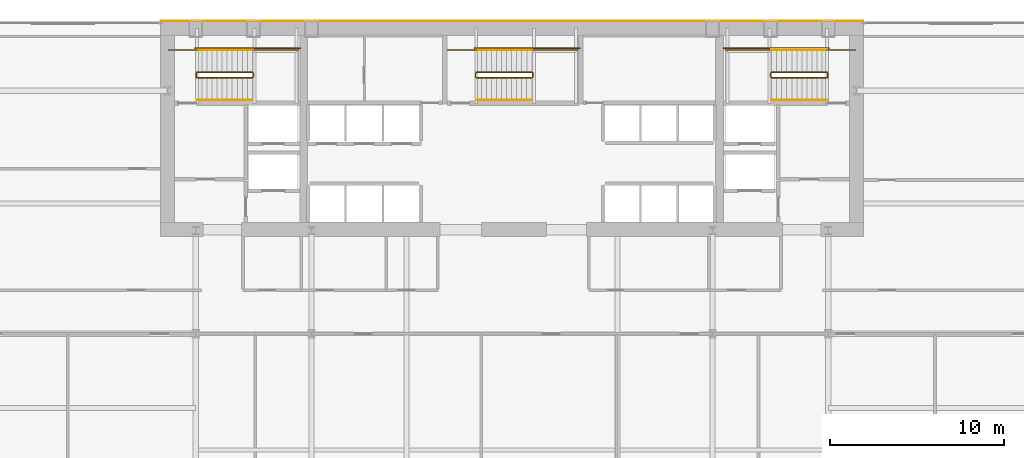
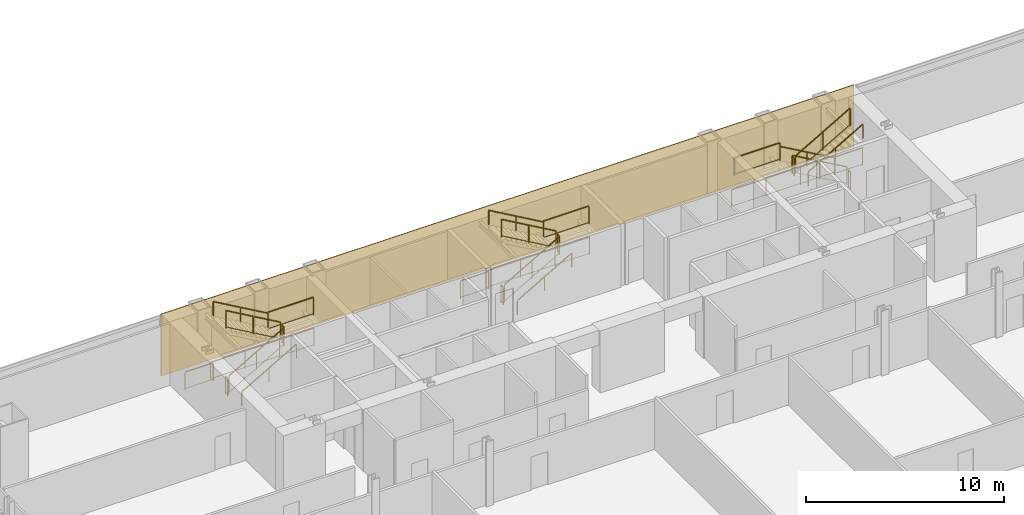
# One storey, part 32 of 32: 27 railings, 1 covering.
"""IFC4 building model written with IfcOpenShell, lengths in metres."""

import ifcopenshell
import ifcopenshell.guid

model = None  # the IFC model being written
_history = None  # IfcOwnerHistory: only IFC2X3 demands one
_inside = {}  # id of a spatial element -> (the spatial element, [elements in it])
_under = {}  # id of a project, library or spatial element -> (it, [spatial elements below it])
_declared = {}  # id of a project -> (the project, [libraries it declares])
_typed = {}  # id of a type object -> (the type object, [elements of that type])
_made_of = {}  # id of a material, layer set ... -> (it, [elements and type objects made of it])


def new_model(schema):
    """Start an empty IFC model of exactly this schema.

    Asked for "IFC4X3", IfcOpenShell would pick the latest addendum, in which some entities
    have other attributes; the version numbers below select the first issue.
    IFC2X3 requires an IfcOwnerHistory on every rooted entity: one is made here for all.
    """
    global model, _history
    if schema == "IFC4X3":
        model = ifcopenshell.file(schema_version=(4, 3, 0, 0))
    else:
        model = ifcopenshell.file(schema=schema)
    _inside.clear()
    _under.clear()
    _declared.clear()
    _typed.clear()
    _made_of.clear()
    _history = None
    if model.schema == "IFC2X3":
        org = make("IfcOrganization", Name="unknown")
        user = make(
            "IfcPersonAndOrganization",
            ThePerson=make("IfcPerson", FamilyName="unknown"),
            TheOrganization=org,
        )
        app = make(
            "IfcApplication",
            ApplicationDeveloper=org,
            Version="unknown",
            ApplicationFullName="unknown",
            ApplicationIdentifier="unknown",
        )
        _history = make(
            "IfcOwnerHistory",
            OwningUser=user,
            OwningApplication=app,
            ChangeAction="ADDED",
            CreationDate=0,
        )
    return model


def make(cls, **values):
    """One entity of the class cls with the attributes given. An attribute that is None is left unset."""
    return model.create_entity(
        cls, **{name: value for name, value in values.items() if value is not None}
    )


def rooted(cls, **values):
    """An entity with a GlobalId (a new one), such as an element, a storey or a relation."""
    return make(cls, GlobalId=ifcopenshell.guid.new(), OwnerHistory=_history, **values)


def si_unit(unit_type, name, prefix=None):
    """IfcSIUnit, for example si_unit("LENGTHUNIT", "METRE", prefix="MILLI")."""
    return make("IfcSIUnit", UnitType=unit_type, Prefix=prefix, Name=name)


def assignment(units):
    """IfcUnitAssignment: the units of a project."""
    return None if units is None else make("IfcUnitAssignment", Units=units)


def point(xyz):
    """IfcCartesianPoint."""
    return None if xyz is None else make("IfcCartesianPoint", Coordinates=xyz)


def direction(xyz):
    """IfcDirection."""
    return None if xyz is None else make("IfcDirection", DirectionRatios=xyz)


def frame(location, z_axis=None, x_axis=None):
    """IfcAxis2Placement3D, a coordinate frame: its origin and axes. An axis left out is left unset."""
    return make(
        "IfcAxis2Placement3D",
        Location=point(location),
        Axis=direction(z_axis),
        RefDirection=direction(x_axis),
    )


def frame_2d(location, x_axis=None):
    """IfcAxis2Placement2D, a coordinate frame in the plane: its origin and x axis."""
    return make(
        "IfcAxis2Placement2D", Location=point(location), RefDirection=direction(x_axis)
    )


def origin():
    """The frame at (0, 0, 0) with its axes left unset."""
    return frame((0.0, 0.0, 0.0))


def origin_2d():
    """The frame at (0, 0) in the plane with its x axis left unset."""
    return frame_2d((0.0, 0.0))


def place(relative_to, where):
    """IfcLocalPlacement: puts the frame where relative to a parent placement (None: the world)."""
    return make(
        "IfcLocalPlacement", PlacementRelTo=relative_to, RelativePlacement=where
    )


def context(
    kind, dimensions, precision=None, world=None, true_north=None, identifier=None
):
    """IfcGeometricRepresentationContext, for example the 3D "Model" context."""
    return make(
        "IfcGeometricRepresentationContext",
        ContextIdentifier=identifier,
        ContextType=kind,
        CoordinateSpaceDimension=dimensions,
        Precision=precision,
        WorldCoordinateSystem=world,
        TrueNorth=true_north,
    )


def subcontext(parent, identifier, kind, view, scale=None):
    """IfcGeometricRepresentationSubContext, for example "Body" below "Model"."""
    return make(
        "IfcGeometricRepresentationSubContext",
        ContextIdentifier=identifier,
        ContextType=kind,
        ParentContext=parent,
        TargetScale=scale,
        TargetView=view,
    )


def project(units=None, contexts=None):
    """IfcProject with its units and contexts."""
    return rooted(
        "IfcProject",
        Name="project",
        RepresentationContexts=contexts,
        UnitsInContext=assignment(units),
    )


def spatial(cls, under=None, at=None, **own):
    """A site, building, storey or space (cls), placed at a placement, below another one or the project."""
    s = rooted(cls, ObjectPlacement=at, **own)
    if under is not None:
        _under.setdefault(under.id(), (under, []))[1].append(s)
    return s


def polyline(points):
    """IfcPolyline through the points."""
    return make("IfcPolyline", Points=[point(p) for p in points])


def profile(cls, at=None, kind="AREA", **sizes):
    """A parametric profile (cls). Its sizes go by their IFC names, for example OverallWidth=200.0."""
    return make(cls, ProfileType=kind, Position=at, **sizes)


def rectangle(**sizes):
    """IfcRectangleProfileDef."""
    return profile("IfcRectangleProfileDef", **sizes)


def outline(outer, holes=None, kind="AREA"):
    """IfcArbitraryClosedProfileDef: a profile drawn as a closed curve; with holes, ...WithVoids."""
    if holes is None:
        return make("IfcArbitraryClosedProfileDef", ProfileType=kind, OuterCurve=outer)
    return make(
        "IfcArbitraryProfileDefWithVoids",
        ProfileType=kind,
        OuterCurve=outer,
        InnerCurves=holes,
    )


def extrude(swept, where, along, depth):
    """IfcExtrudedAreaSolid: the profile swept, set in the frame where, extruded along a direction by depth."""
    return make(
        "IfcExtrudedAreaSolid",
        SweptArea=swept,
        Position=where,
        ExtrudedDirection=direction(along),
        Depth=depth,
    )


def shape(context_of_items, identifier, shape_type, items):
    """IfcShapeRepresentation: the items that make up one representation, for example the "Body"."""
    return make(
        "IfcShapeRepresentation",
        ContextOfItems=context_of_items,
        RepresentationIdentifier=identifier,
        RepresentationType=shape_type,
        Items=items,
    )


def material(Name=None, Category=None):
    """IfcMaterial."""
    return make("IfcMaterial", Name=Name, Category=Category)


def layer(
    of_material, thickness, ventilated=None, Name=None, Category=None, Priority=None
):
    """IfcMaterialLayer: one layer of a wall or slab, of a material (None: an air gap)."""
    return make(
        "IfcMaterialLayer",
        Material=of_material,
        LayerThickness=thickness,
        IsVentilated=ventilated,
        Name=Name,
        Category=Category,
        Priority=Priority,
    )


def layer_set(layers, Name=None):
    """IfcMaterialLayerSet."""
    return make("IfcMaterialLayerSet", MaterialLayers=layers, LayerSetName=Name)


def made_of(thing, what):
    """Note that an element or type object is made of a material, layer set ...; save() writes the relation."""
    if what is not None:
        _made_of.setdefault(what.id(), (what, []))[1].append(thing)
    return thing


def type_object(cls, material=None, **own):
    """A type object (cls), such as IfcWallType, which elements share."""
    return made_of(rooted(cls, **own), material)


def element(
    cls,
    number,
    at=None,
    inside=None,
    cuts=None,
    type_object=None,
    material=None,
    context=None,
    identifier="Body",
    shape_type=None,
    held_by="IfcProductDefinitionShape",
    body=None,
    shapes=None,
    **own,
):
    """One element of the class cls, such as IfcWall. Its Tag is "e" and its number.

    at: its placement. inside: the storey or other place that contains it. cuts: it is an
    opening in that element (IfcRelVoidsElement). A single representation is given by context,
    identifier, shape_type and body (its items); several are given by shapes. held_by: the class
    of the entity that holds the representations. save() writes the other relations.
    """
    e = rooted(cls, Tag="e%d" % number, ObjectPlacement=at, **own)
    if body is not None:
        shapes = [shape(context, identifier, shape_type, body)]
    if shapes is not None:
        e.Representation = make(held_by, Representations=shapes)
    if inside is not None:
        _inside.setdefault(inside.id(), (inside, []))[1].append(e)
    if cuts is not None:
        rooted(
            "IfcRelVoidsElement", RelatingBuildingElement=cuts, RelatedOpeningElement=e
        )
    if type_object is not None:
        _typed.setdefault(type_object.id(), (type_object, []))[1].append(e)
    return made_of(e, material)


def aggregate(whole, parts):
    """IfcRelAggregates: a whole, such as a stair, and the parts it consists of."""
    return rooted("IfcRelAggregates", RelatingObject=whole, RelatedObjects=parts)


def save(model, path):
    """Write the relations noted so far, then the file.

    IfcRelAggregates (storeys below a building ...), IfcRelContainedInSpatialStructure (elements
    in a storey), IfcRelDefinesByType, IfcRelAssociatesMaterial and IfcRelDeclares: one each for
    every whole, place, type object, material and project.
    """
    for whole, parts in _under.values():
        aggregate(whole, parts)
    for where, things in _inside.values():
        rooted(
            "IfcRelContainedInSpatialStructure",
            RelatedElements=things,
            RelatingStructure=where,
        )
    for kind, things in _typed.values():
        rooted("IfcRelDefinesByType", RelatedObjects=things, RelatingType=kind)
    for what, things in _made_of.values():
        rooted("IfcRelAssociatesMaterial", RelatedObjects=things, RelatingMaterial=what)
    for by, libraries in _declared.values():
        rooted("IfcRelDeclares", RelatingContext=by, RelatedDefinitions=libraries)
    model.write(path)


model = new_model("IFC4")

# Units and contexts
model_context = context("Model", 3, precision=1e-05, world=origin(), true_north=direction((0.0, 1.0)))
body_context = subcontext(model_context, "Body", "Model", "MODEL_VIEW")
ifc_project = project(units=[si_unit("LENGTHUNIT", "METRE"), si_unit("AREAUNIT", "SQUARE_METRE"), si_unit("VOLUMEUNIT", "CUBIC_METRE"), si_unit("PLANEANGLEUNIT", "RADIAN"), si_unit("MASSUNIT", "GRAM", prefix="KILO")], contexts=[model_context])

# Site, building, storey
site_placement = place(None, origin())
site = spatial("IfcSite", under=ifc_project, at=site_placement, CompositionType="ELEMENT")
building_placement = place(site_placement, origin())
building = spatial("IfcBuilding", under=site, at=building_placement, Name="Khoronbel Lancet Exchange", CompositionType="ELEMENT")
storey_placement = place(building_placement, frame((0.0, 0.0, 65.800048828125)))
storey = spatial("IfcBuildingStorey", under=building, at=storey_placement, Name="L15", CompositionType="ELEMENT", Elevation=65.800048828125)

# Covering
ifc_material_1 = material(Name="Honed Egyptian Limestone & Bronze Rainscreen", Category="masonry")
ifc_layer = layer(ifc_material_1, 0.050048828125, Name="Honed Egyptian Limestone & Bronze Rainscreen")
ifc_layer_set = layer_set([ifc_layer], Name="Honed Egyptian Limestone & Bronze Rainscreen")
covering_type = type_object("IfcCoveringType", Name="COV-CLAD1", PredefinedType="CLADDING", material=ifc_layer_set)
covering_placement = place(storey_placement, origin())
element("IfcCovering", 1, at=covering_placement, inside=storey, type_object=covering_type, Name="Level L15 north rear-core stone and bronze rainscreen cladding", PredefinedType="CLADDING", context=body_context, shape_type="SweptSolid", body=[
    extrude(outline(polyline([(16.199951171875, 53.699951171875), (56.699951171875, 53.699951171875), (56.699951171875, 53.75), (16.199951171875, 53.75), (16.199951171875, 53.699951171875)])), origin(), (0.0, 0.0, 1.0), 3.820068359375),
])

# Railings
ifc_material_2 = material(Name="Painted Steel Balustrade", Category="steel")
railing_type_1 = type_object("IfcRailingType", Name="RL-STG110", PredefinedType="GUARDRAIL", material=ifc_material_2)
railing_1_placement = place(storey_placement, frame((18.300048828125, 50.449951171875, 0.16650390625)))
element("IfcRailing", 2, at=railing_1_placement, inside=storey, type_object=railing_type_1, Name="L15 ST1 stair guard 1", PredefinedType="GUARDRAIL", context=body_context, shape_type="SweptSolid", body=[
    extrude(rectangle(XDim=0.048095703125, YDim=0.048095703125, at=origin_2d()), frame((0.0, 0.0, 1.09619140625), z_axis=(0.86699087805, 0.0, 0.498324008431), x_axis=(0.0, 1.0, 0.0)), (0.0, 0.0, 1.0), 3.679443359375),
    extrude(rectangle(XDim=0.02392578125, YDim=0.02392578125, at=origin_2d()), frame((0.0, 0.0, 0.080078125), z_axis=(0.86699087805, 0.0, 0.498324008431), x_axis=(0.0, 1.0, 0.0)), (0.0, 0.0, 1.0), 3.679443359375),
    extrude(rectangle(XDim=0.0419921875, YDim=0.0419921875, at=origin_2d()), origin(), (0.0, 0.0, 1.0), 1.072021484375),
    extrude(rectangle(XDim=0.0419921875, YDim=0.0419921875, at=origin_2d()), frame((1.594970703125, 0.0, 0.916748046875)), (0.0, 0.0, 1.0), 1.072021484375),
    extrude(rectangle(XDim=0.0419921875, YDim=0.0419921875, at=origin_2d()), frame((3.18994140625, 0.0, 1.83349609375)), (0.0, 0.0, 1.0), 1.072021484375),
])
railing_2_placement = place(storey_placement, frame((21.5400390625, 50.5, 2.0)))
element("IfcRailing", 3, at=railing_2_placement, inside=storey, type_object=railing_type_1, Name="L15 ST1 stair guard 2", PredefinedType="GUARDRAIL", context=body_context, shape_type="SweptSolid", body=[
    extrude(rectangle(XDim=0.048095703125, YDim=0.048095703125, at=origin_2d()), frame((0.0, 0.0, 1.09619140625), z_axis=(0.0, 1.0, 0.0), x_axis=(-1.0, 0.0, 0.0)), (0.0, 0.0, 1.0), 0.219970703125),
    extrude(rectangle(XDim=0.02392578125, YDim=0.02392578125, at=origin_2d()), frame((0.0, 0.0, 0.080078125), z_axis=(0.0, 1.0, 0.0), x_axis=(-1.0, 0.0, 0.0)), (0.0, 0.0, 1.0), 0.219970703125),
    extrude(rectangle(XDim=0.0419921875, YDim=0.0419921875, at=origin_2d()), origin(), (0.0, 0.0, 1.0), 1.072021484375),
    extrude(rectangle(XDim=0.0419921875, YDim=0.0419921875, at=origin_2d()), frame((0.0, 0.219970703125, 0.0)), (0.0, 0.0, 1.0), 1.072021484375),
])
railing_3_placement = place(storey_placement, frame((21.489990234375, 52.050048828125, 2.0)))
element("IfcRailing", 4, at=railing_3_placement, inside=storey, type_object=railing_type_1, Name="L15 ST1 stair guard 3", PredefinedType="GUARDRAIL", context=body_context, shape_type="SweptSolid", body=[
    extrude(rectangle(XDim=0.048095703125, YDim=0.048095703125, at=origin_2d()), frame((0.0, 0.0, 1.09619140625), z_axis=(1.0, 0.0, 0.0), x_axis=(0.0, 1.0, 0.0)), (0.0, 0.0, 1.0), 2.659912109375),
    extrude(rectangle(XDim=0.02392578125, YDim=0.02392578125, at=origin_2d()), frame((0.0, 0.0, 0.080078125), z_axis=(1.0, 0.0, 0.0), x_axis=(0.0, 1.0, 0.0)), (0.0, 0.0, 1.0), 2.659912109375),
    extrude(rectangle(XDim=0.0419921875, YDim=0.0419921875, at=origin_2d()), origin(), (0.0, 0.0, 1.0), 1.072021484375),
    extrude(rectangle(XDim=0.0419921875, YDim=0.0419921875, at=origin_2d()), frame((2.659912109375, 0.0, 0.0)), (0.0, 0.0, 1.0), 1.072021484375),
])
railing_4_placement = place(storey_placement, frame((21.489990234375, 50.77001953125, 2.16650390625)))
element("IfcRailing", 5, at=railing_4_placement, inside=storey, type_object=railing_type_1, Name="L15 ST1 stair guard 4", PredefinedType="GUARDRAIL", context=body_context, shape_type="SweptSolid", body=[
    extrude(rectangle(XDim=0.048095703125, YDim=0.048095703125, at=origin_2d()), frame((0.0, 0.0, 1.09619140625), z_axis=(-0.86699087805, 0.0, 0.498324008431), x_axis=(0.0, -1.0, 0.0)), (0.0, 0.0, 1.0), 3.679443359375),
    extrude(rectangle(XDim=0.02392578125, YDim=0.02392578125, at=origin_2d()), frame((0.0, 0.0, 0.080078125), z_axis=(-0.86699087805, 0.0, 0.498324008431), x_axis=(0.0, -1.0, 0.0)), (0.0, 0.0, 1.0), 3.679443359375),
    extrude(rectangle(XDim=0.0419921875, YDim=0.0419921875, at=origin_2d()), origin(), (0.0, 0.0, 1.0), 1.072021484375),
    extrude(rectangle(XDim=0.0419921875, YDim=0.0419921875, at=origin_2d()), frame((-1.594970703125, 0.0, 0.916748046875)), (0.0, 0.0, 1.0), 1.072021484375),
    extrude(rectangle(XDim=0.0419921875, YDim=0.0419921875, at=origin_2d()), frame((-3.18994140625, 0.0, 1.83349609375)), (0.0, 0.0, 1.0), 1.072021484375),
])
railing_5_placement = place(storey_placement, frame((18.25, 50.5, 0.0)))
element("IfcRailing", 6, at=railing_5_placement, inside=storey, type_object=railing_type_1, Name="L15 ST1 stair guard 5", PredefinedType="GUARDRAIL", context=body_context, shape_type="SweptSolid", body=[
    extrude(rectangle(XDim=0.048095703125, YDim=0.048095703125, at=origin_2d()), frame((0.0, 0.0, 1.09619140625), z_axis=(0.0, 1.0, 0.0), x_axis=(-1.0, 0.0, 0.0)), (0.0, 0.0, 1.0), 0.219970703125),
    extrude(rectangle(XDim=0.02392578125, YDim=0.02392578125, at=origin_2d()), frame((0.0, 0.0, 0.080078125), z_axis=(0.0, 1.0, 0.0), x_axis=(-1.0, 0.0, 0.0)), (0.0, 0.0, 1.0), 0.219970703125),
    extrude(rectangle(XDim=0.0419921875, YDim=0.0419921875, at=origin_2d()), origin(), (0.0, 0.0, 1.0), 1.072021484375),
    extrude(rectangle(XDim=0.0419921875, YDim=0.0419921875, at=origin_2d()), frame((0.0, 0.219970703125, 0.0)), (0.0, 0.0, 1.0), 1.072021484375),
])
railing_6_placement = place(storey_placement, frame((16.64990234375, 52.050048828125, 0.0)))
element("IfcRailing", 7, at=railing_6_placement, inside=storey, type_object=railing_type_1, Name="L15 ST1 stair guard 6", PredefinedType="GUARDRAIL", context=body_context, shape_type="SweptSolid", body=[
    extrude(rectangle(XDim=0.048095703125, YDim=0.048095703125, at=origin_2d()), frame((0.0, 0.0, 1.09619140625), z_axis=(1.0, 0.0, 0.0), x_axis=(0.0, 1.0, 0.0)), (0.0, 0.0, 1.0), 1.650146484375),
    extrude(rectangle(XDim=0.02392578125, YDim=0.02392578125, at=origin_2d()), frame((0.0, 0.0, 0.080078125), z_axis=(1.0, 0.0, 0.0), x_axis=(0.0, 1.0, 0.0)), (0.0, 0.0, 1.0), 1.650146484375),
    extrude(rectangle(XDim=0.0419921875, YDim=0.0419921875, at=origin_2d()), origin(), (0.0, 0.0, 1.0), 1.072021484375),
    extrude(rectangle(XDim=0.0419921875, YDim=0.0419921875, at=origin_2d()), frame((1.650146484375, 0.0, 0.0)), (0.0, 0.0, 1.0), 1.072021484375),
])
railing_7_placement = place(storey_placement, frame((18.199951171875, 52.14990234375, 0.0)))
element("IfcRailing", 8, at=railing_7_placement, inside=storey, type_object=railing_type_1, Name="L15 ST1 stair guard 7", PredefinedType="GUARDRAIL", context=body_context, shape_type="SweptSolid", body=[
    extrude(rectangle(XDim=0.048095703125, YDim=0.048095703125, at=origin_2d()), frame((0.0, 0.0, 1.09619140625), z_axis=(1.0, 0.0, 0.0), x_axis=(0.0, 1.0, 0.0)), (0.0, 0.0, 1.0), 6.050048828125),
    extrude(rectangle(XDim=0.02392578125, YDim=0.02392578125, at=origin_2d()), frame((0.0, 0.0, 0.080078125), z_axis=(1.0, 0.0, 0.0), x_axis=(0.0, 1.0, 0.0)), (0.0, 0.0, 1.0), 6.050048828125),
    extrude(rectangle(XDim=0.0419921875, YDim=0.0419921875, at=origin_2d()), origin(), (0.0, 0.0, 1.0), 1.072021484375),
    extrude(rectangle(XDim=0.0419921875, YDim=0.0419921875, at=origin_2d()), frame((2.0166015625, 0.0, 0.0)), (0.0, 0.0, 1.0), 1.072021484375),
    extrude(rectangle(XDim=0.0419921875, YDim=0.0419921875, at=origin_2d()), frame((4.033447265625, 0.0, 0.0)), (0.0, 0.0, 1.0), 1.072021484375),
    extrude(rectangle(XDim=0.0419921875, YDim=0.0419921875, at=origin_2d()), frame((6.050048828125, 0.0, 0.0)), (0.0, 0.0, 1.0), 1.072021484375),
])
railing_8_placement = place(storey_placement, frame((54.60009765625, 50.77001953125, 0.16650390625)))
element("IfcRailing", 9, at=railing_8_placement, inside=storey, type_object=railing_type_1, Name="L15 ST2 stair guard 1", PredefinedType="GUARDRAIL", context=body_context, shape_type="SweptSolid", body=[
    extrude(rectangle(XDim=0.048095703125, YDim=0.048095703125, at=origin_2d()), frame((0.0, 0.0, 1.09619140625), z_axis=(-0.867007354286, 0.0, 0.498295341753), x_axis=(0.0, -1.0, 0.0)), (0.0, 0.0, 1.0), 3.679443359375),
    extrude(rectangle(XDim=0.02392578125, YDim=0.02392578125, at=origin_2d()), frame((0.0, 0.0, 0.080078125), z_axis=(-0.867007354286, 0.0, 0.498295341753), x_axis=(0.0, -1.0, 0.0)), (0.0, 0.0, 1.0), 3.679443359375),
    extrude(rectangle(XDim=0.0419921875, YDim=0.0419921875, at=origin_2d()), origin(), (0.0, 0.0, 1.0), 1.072021484375),
    extrude(rectangle(XDim=0.0419921875, YDim=0.0419921875, at=origin_2d()), frame((-1.59521484375, 0.0, 0.916748046875)), (0.0, 0.0, 1.0), 1.072021484375),
    extrude(rectangle(XDim=0.0419921875, YDim=0.0419921875, at=origin_2d()), frame((-3.190185546875, 0.0, 1.83349609375)), (0.0, 0.0, 1.0), 1.072021484375),
])
railing_9_placement = place(storey_placement, frame((51.360107421875, 50.719970703125, 2.0)))
element("IfcRailing", 10, at=railing_9_placement, inside=storey, type_object=railing_type_1, Name="L15 ST2 stair guard 2", PredefinedType="GUARDRAIL", context=body_context, shape_type="SweptSolid", body=[
    extrude(rectangle(XDim=0.048095703125, YDim=0.048095703125, at=origin_2d()), frame((0.0, 0.0, 1.09619140625), z_axis=(0.0, -1.0, 0.0), x_axis=(1.0, 0.0, 0.0)), (0.0, 0.0, 1.0), 0.219970703125),
    extrude(rectangle(XDim=0.02392578125, YDim=0.02392578125, at=origin_2d()), frame((0.0, 0.0, 0.080078125), z_axis=(0.0, -1.0, 0.0), x_axis=(1.0, 0.0, 0.0)), (0.0, 0.0, 1.0), 0.219970703125),
    extrude(rectangle(XDim=0.0419921875, YDim=0.0419921875, at=origin_2d()), origin(), (0.0, 0.0, 1.0), 1.072021484375),
    extrude(rectangle(XDim=0.0419921875, YDim=0.0419921875, at=origin_2d()), frame((0.0, -0.219970703125, 0.0)), (0.0, 0.0, 1.0), 1.072021484375),
])
railing_10_placement = place(storey_placement, frame((51.409912109375, 52.050048828125, 2.0)))
element("IfcRailing", 11, at=railing_10_placement, inside=storey, type_object=railing_type_1, Name="L15 ST2 stair guard 3", PredefinedType="GUARDRAIL", context=body_context, shape_type="SweptSolid", body=[
    extrude(rectangle(XDim=0.048095703125, YDim=0.048095703125, at=origin_2d()), frame((0.0, 0.0, 1.09619140625), z_axis=(-1.0, 0.0, 0.0), x_axis=(0.0, -1.0, 0.0)), (0.0, 0.0, 1.0), 2.659912109375),
    extrude(rectangle(XDim=0.02392578125, YDim=0.02392578125, at=origin_2d()), frame((0.0, 0.0, 0.080078125), z_axis=(-1.0, 0.0, 0.0), x_axis=(0.0, -1.0, 0.0)), (0.0, 0.0, 1.0), 2.659912109375),
    extrude(rectangle(XDim=0.0419921875, YDim=0.0419921875, at=origin_2d()), origin(), (0.0, 0.0, 1.0), 1.072021484375),
    extrude(rectangle(XDim=0.0419921875, YDim=0.0419921875, at=origin_2d()), frame((-2.659912109375, 0.0, 0.0)), (0.0, 0.0, 1.0), 1.072021484375),
])
railing_11_placement = place(storey_placement, frame((51.409912109375, 50.449951171875, 2.16650390625)))
element("IfcRailing", 12, at=railing_11_placement, inside=storey, type_object=railing_type_1, Name="L15 ST2 stair guard 4", PredefinedType="GUARDRAIL", context=body_context, shape_type="SweptSolid", body=[
    extrude(rectangle(XDim=0.048095703125, YDim=0.048095703125, at=origin_2d()), frame((0.0, 0.0, 1.09619140625), z_axis=(0.867007354286, 0.0, 0.498295341753), x_axis=(0.0, 1.0, 0.0)), (0.0, 0.0, 1.0), 3.679443359375),
    extrude(rectangle(XDim=0.02392578125, YDim=0.02392578125, at=origin_2d()), frame((0.0, 0.0, 0.080078125), z_axis=(0.867007354286, 0.0, 0.498295341753), x_axis=(0.0, 1.0, 0.0)), (0.0, 0.0, 1.0), 3.679443359375),
    extrude(rectangle(XDim=0.0419921875, YDim=0.0419921875, at=origin_2d()), origin(), (0.0, 0.0, 1.0), 1.072021484375),
    extrude(rectangle(XDim=0.0419921875, YDim=0.0419921875, at=origin_2d()), frame((1.59521484375, 0.0, 0.916748046875)), (0.0, 0.0, 1.0), 1.072021484375),
    extrude(rectangle(XDim=0.0419921875, YDim=0.0419921875, at=origin_2d()), frame((3.190185546875, 0.0, 1.83349609375)), (0.0, 0.0, 1.0), 1.072021484375),
])
railing_12_placement = place(storey_placement, frame((54.64990234375, 50.719970703125, 0.0)))
element("IfcRailing", 13, at=railing_12_placement, inside=storey, type_object=railing_type_1, Name="L15 ST2 stair guard 5", PredefinedType="GUARDRAIL", context=body_context, shape_type="SweptSolid", body=[
    extrude(rectangle(XDim=0.048095703125, YDim=0.048095703125, at=origin_2d()), frame((0.0, 0.0, 1.09619140625), z_axis=(0.0, -1.0, 0.0), x_axis=(1.0, 0.0, 0.0)), (0.0, 0.0, 1.0), 0.219970703125),
    extrude(rectangle(XDim=0.02392578125, YDim=0.02392578125, at=origin_2d()), frame((0.0, 0.0, 0.080078125), z_axis=(0.0, -1.0, 0.0), x_axis=(1.0, 0.0, 0.0)), (0.0, 0.0, 1.0), 0.219970703125),
    extrude(rectangle(XDim=0.0419921875, YDim=0.0419921875, at=origin_2d()), origin(), (0.0, 0.0, 1.0), 1.072021484375),
    extrude(rectangle(XDim=0.0419921875, YDim=0.0419921875, at=origin_2d()), frame((0.0, -0.219970703125, 0.0)), (0.0, 0.0, 1.0), 1.072021484375),
])
railing_13_placement = place(storey_placement, frame((56.25, 52.050048828125, 0.0)))
element("IfcRailing", 14, at=railing_13_placement, inside=storey, type_object=railing_type_1, Name="L15 ST2 stair guard 6", PredefinedType="GUARDRAIL", context=body_context, shape_type="SweptSolid", body=[
    extrude(rectangle(XDim=0.048095703125, YDim=0.048095703125, at=origin_2d()), frame((0.0, 0.0, 1.09619140625), z_axis=(-1.0, 0.0, 0.0), x_axis=(0.0, -1.0, 0.0)), (0.0, 0.0, 1.0), 1.64990234375),
    extrude(rectangle(XDim=0.02392578125, YDim=0.02392578125, at=origin_2d()), frame((0.0, 0.0, 0.080078125), z_axis=(-1.0, 0.0, 0.0), x_axis=(0.0, -1.0, 0.0)), (0.0, 0.0, 1.0), 1.64990234375),
    extrude(rectangle(XDim=0.0419921875, YDim=0.0419921875, at=origin_2d()), origin(), (0.0, 0.0, 1.0), 1.072021484375),
    extrude(rectangle(XDim=0.0419921875, YDim=0.0419921875, at=origin_2d()), frame((-1.64990234375, 0.0, 0.0)), (0.0, 0.0, 1.0), 1.072021484375),
])
railing_14_placement = place(storey_placement, frame((54.699951171875, 52.14990234375, 0.0)))
element("IfcRailing", 15, at=railing_14_placement, inside=storey, type_object=railing_type_1, Name="L15 ST2 stair guard 7", PredefinedType="GUARDRAIL", context=body_context, shape_type="SweptSolid", body=[
    extrude(rectangle(XDim=0.048095703125, YDim=0.048095703125, at=origin_2d()), frame((0.0, 0.0, 1.09619140625), z_axis=(-1.0, 0.0, 0.0), x_axis=(0.0, -1.0, 0.0)), (0.0, 0.0, 1.0), 6.050048828125),
    extrude(rectangle(XDim=0.02392578125, YDim=0.02392578125, at=origin_2d()), frame((0.0, 0.0, 0.080078125), z_axis=(-1.0, 0.0, 0.0), x_axis=(0.0, -1.0, 0.0)), (0.0, 0.0, 1.0), 6.050048828125),
    extrude(rectangle(XDim=0.0419921875, YDim=0.0419921875, at=origin_2d()), origin(), (0.0, 0.0, 1.0), 1.072021484375),
    extrude(rectangle(XDim=0.0419921875, YDim=0.0419921875, at=origin_2d()), frame((-2.0166015625, 0.0, 0.0)), (0.0, 0.0, 1.0), 1.072021484375),
    extrude(rectangle(XDim=0.0419921875, YDim=0.0419921875, at=origin_2d()), frame((-4.033447265625, 0.0, 0.0)), (0.0, 0.0, 1.0), 1.072021484375),
    extrude(rectangle(XDim=0.0419921875, YDim=0.0419921875, at=origin_2d()), frame((-6.050048828125, 0.0, 0.0)), (0.0, 0.0, 1.0), 1.072021484375),
])
railing_15_placement = place(storey_placement, frame((34.39990234375, 50.449951171875, 0.16650390625)))
element("IfcRailing", 16, at=railing_15_placement, inside=storey, type_object=railing_type_1, Name="L15 ST3 stair guard 1", PredefinedType="GUARDRAIL", context=body_context, shape_type="SweptSolid", body=[
    extrude(rectangle(XDim=0.048095703125, YDim=0.048095703125, at=origin_2d()), frame((0.0, 0.0, 1.09619140625), z_axis=(0.867007354286, 0.0, 0.498295341753), x_axis=(0.0, 1.0, 0.0)), (0.0, 0.0, 1.0), 3.679443359375),
    extrude(rectangle(XDim=0.02392578125, YDim=0.02392578125, at=origin_2d()), frame((0.0, 0.0, 0.080078125), z_axis=(0.867007354286, 0.0, 0.498295341753), x_axis=(0.0, 1.0, 0.0)), (0.0, 0.0, 1.0), 3.679443359375),
    extrude(rectangle(XDim=0.0419921875, YDim=0.0419921875, at=origin_2d()), origin(), (0.0, 0.0, 1.0), 1.072021484375),
    extrude(rectangle(XDim=0.0419921875, YDim=0.0419921875, at=origin_2d()), frame((1.59521484375, 0.0, 0.916748046875)), (0.0, 0.0, 1.0), 1.072021484375),
    extrude(rectangle(XDim=0.0419921875, YDim=0.0419921875, at=origin_2d()), frame((3.190185546875, 0.0, 1.83349609375)), (0.0, 0.0, 1.0), 1.072021484375),
])
railing_16_placement = place(storey_placement, frame((37.639892578125, 50.5, 2.0)))
element("IfcRailing", 17, at=railing_16_placement, inside=storey, type_object=railing_type_1, Name="L15 ST3 stair guard 2", PredefinedType="GUARDRAIL", context=body_context, shape_type="SweptSolid", body=[
    extrude(rectangle(XDim=0.048095703125, YDim=0.048095703125, at=origin_2d()), frame((0.0, 0.0, 1.09619140625), z_axis=(0.0, 1.0, 0.0), x_axis=(-1.0, 0.0, 0.0)), (0.0, 0.0, 1.0), 0.219970703125),
    extrude(rectangle(XDim=0.02392578125, YDim=0.02392578125, at=origin_2d()), frame((0.0, 0.0, 0.080078125), z_axis=(0.0, 1.0, 0.0), x_axis=(-1.0, 0.0, 0.0)), (0.0, 0.0, 1.0), 0.219970703125),
    extrude(rectangle(XDim=0.0419921875, YDim=0.0419921875, at=origin_2d()), origin(), (0.0, 0.0, 1.0), 1.072021484375),
    extrude(rectangle(XDim=0.0419921875, YDim=0.0419921875, at=origin_2d()), frame((0.0, 0.219970703125, 0.0)), (0.0, 0.0, 1.0), 1.072021484375),
])
railing_17_placement = place(storey_placement, frame((37.590087890625, 52.050048828125, 2.0)))
element("IfcRailing", 18, at=railing_17_placement, inside=storey, type_object=railing_type_1, Name="L15 ST3 stair guard 3", PredefinedType="GUARDRAIL", context=body_context, shape_type="SweptSolid", body=[
    extrude(rectangle(XDim=0.048095703125, YDim=0.048095703125, at=origin_2d()), frame((0.0, 0.0, 1.09619140625), z_axis=(1.0, 0.0, 0.0), x_axis=(0.0, 1.0, 0.0)), (0.0, 0.0, 1.0), 2.659912109375),
    extrude(rectangle(XDim=0.02392578125, YDim=0.02392578125, at=origin_2d()), frame((0.0, 0.0, 0.080078125), z_axis=(1.0, 0.0, 0.0), x_axis=(0.0, 1.0, 0.0)), (0.0, 0.0, 1.0), 2.659912109375),
    extrude(rectangle(XDim=0.0419921875, YDim=0.0419921875, at=origin_2d()), origin(), (0.0, 0.0, 1.0), 1.072021484375),
    extrude(rectangle(XDim=0.0419921875, YDim=0.0419921875, at=origin_2d()), frame((2.659912109375, 0.0, 0.0)), (0.0, 0.0, 1.0), 1.072021484375),
])
railing_18_placement = place(storey_placement, frame((37.590087890625, 50.77001953125, 2.16650390625)))
element("IfcRailing", 19, at=railing_18_placement, inside=storey, type_object=railing_type_1, Name="L15 ST3 stair guard 4", PredefinedType="GUARDRAIL", context=body_context, shape_type="SweptSolid", body=[
    extrude(rectangle(XDim=0.048095703125, YDim=0.048095703125, at=origin_2d()), frame((0.0, 0.0, 1.09619140625), z_axis=(-0.867007354286, 0.0, 0.498295341753), x_axis=(0.0, -1.0, 0.0)), (0.0, 0.0, 1.0), 3.679443359375),
    extrude(rectangle(XDim=0.02392578125, YDim=0.02392578125, at=origin_2d()), frame((0.0, 0.0, 0.080078125), z_axis=(-0.867007354286, 0.0, 0.498295341753), x_axis=(0.0, -1.0, 0.0)), (0.0, 0.0, 1.0), 3.679443359375),
    extrude(rectangle(XDim=0.0419921875, YDim=0.0419921875, at=origin_2d()), origin(), (0.0, 0.0, 1.0), 1.072021484375),
    extrude(rectangle(XDim=0.0419921875, YDim=0.0419921875, at=origin_2d()), frame((-1.59521484375, 0.0, 0.916748046875)), (0.0, 0.0, 1.0), 1.072021484375),
    extrude(rectangle(XDim=0.0419921875, YDim=0.0419921875, at=origin_2d()), frame((-3.190185546875, 0.0, 1.83349609375)), (0.0, 0.0, 1.0), 1.072021484375),
])
railing_19_placement = place(storey_placement, frame((34.35009765625, 50.5, 0.0)))
element("IfcRailing", 20, at=railing_19_placement, inside=storey, type_object=railing_type_1, Name="L15 ST3 stair guard 5", PredefinedType="GUARDRAIL", context=body_context, shape_type="SweptSolid", body=[
    extrude(rectangle(XDim=0.048095703125, YDim=0.048095703125, at=origin_2d()), frame((0.0, 0.0, 1.09619140625), z_axis=(0.0, 1.0, 0.0), x_axis=(-1.0, 0.0, 0.0)), (0.0, 0.0, 1.0), 0.219970703125),
    extrude(rectangle(XDim=0.02392578125, YDim=0.02392578125, at=origin_2d()), frame((0.0, 0.0, 0.080078125), z_axis=(0.0, 1.0, 0.0), x_axis=(-1.0, 0.0, 0.0)), (0.0, 0.0, 1.0), 0.219970703125),
    extrude(rectangle(XDim=0.0419921875, YDim=0.0419921875, at=origin_2d()), origin(), (0.0, 0.0, 1.0), 1.072021484375),
    extrude(rectangle(XDim=0.0419921875, YDim=0.0419921875, at=origin_2d()), frame((0.0, 0.219970703125, 0.0)), (0.0, 0.0, 1.0), 1.072021484375),
])
railing_20_placement = place(storey_placement, frame((32.75, 52.050048828125, 0.0)))
element("IfcRailing", 21, at=railing_20_placement, inside=storey, type_object=railing_type_1, Name="L15 ST3 stair guard 6", PredefinedType="GUARDRAIL", context=body_context, shape_type="SweptSolid", body=[
    extrude(rectangle(XDim=0.048095703125, YDim=0.048095703125, at=origin_2d()), frame((0.0, 0.0, 1.09619140625), z_axis=(1.0, 0.0, 0.0), x_axis=(0.0, 1.0, 0.0)), (0.0, 0.0, 1.0), 1.64990234375),
    extrude(rectangle(XDim=0.02392578125, YDim=0.02392578125, at=origin_2d()), frame((0.0, 0.0, 0.080078125), z_axis=(1.0, 0.0, 0.0), x_axis=(0.0, 1.0, 0.0)), (0.0, 0.0, 1.0), 1.64990234375),
    extrude(rectangle(XDim=0.0419921875, YDim=0.0419921875, at=origin_2d()), origin(), (0.0, 0.0, 1.0), 1.072021484375),
    extrude(rectangle(XDim=0.0419921875, YDim=0.0419921875, at=origin_2d()), frame((1.64990234375, 0.0, 0.0)), (0.0, 0.0, 1.0), 1.072021484375),
])
railing_21_placement = place(storey_placement, frame((34.300048828125, 52.14990234375, 0.0)))
element("IfcRailing", 22, at=railing_21_placement, inside=storey, type_object=railing_type_1, Name="L15 ST3 stair guard 7", PredefinedType="GUARDRAIL", context=body_context, shape_type="SweptSolid", body=[
    extrude(rectangle(XDim=0.048095703125, YDim=0.048095703125, at=origin_2d()), frame((0.0, 0.0, 1.09619140625), z_axis=(1.0, 0.0, 0.0), x_axis=(0.0, 1.0, 0.0)), (0.0, 0.0, 1.0), 6.050048828125),
    extrude(rectangle(XDim=0.02392578125, YDim=0.02392578125, at=origin_2d()), frame((0.0, 0.0, 0.080078125), z_axis=(1.0, 0.0, 0.0), x_axis=(0.0, 1.0, 0.0)), (0.0, 0.0, 1.0), 6.050048828125),
    extrude(rectangle(XDim=0.0419921875, YDim=0.0419921875, at=origin_2d()), origin(), (0.0, 0.0, 1.0), 1.072021484375),
    extrude(rectangle(XDim=0.0419921875, YDim=0.0419921875, at=origin_2d()), frame((2.0166015625, 0.0, 0.0)), (0.0, 0.0, 1.0), 1.072021484375),
    extrude(rectangle(XDim=0.0419921875, YDim=0.0419921875, at=origin_2d()), frame((4.033447265625, 0.0, 0.0)), (0.0, 0.0, 1.0), 1.072021484375),
    extrude(rectangle(XDim=0.0419921875, YDim=0.0419921875, at=origin_2d()), frame((6.050048828125, 0.0, 0.0)), (0.0, 0.0, 1.0), 1.072021484375),
])
ifc_material_3 = material(Name="Brushed Stainless Steel 316", Category="steel")
railing_type_2 = type_object("IfcRailingType", Name="RL-STH92", PredefinedType="HANDRAIL", material=ifc_material_3)
railing_22_placement = place(storey_placement, frame((18.300048828125, 49.169921875, 0.16650390625)))
element("IfcRailing", 23, at=railing_22_placement, inside=storey, type_object=railing_type_2, Name="L15 ST1 stair handrail 1", PredefinedType="HANDRAIL", context=body_context, shape_type="SweptSolid", body=[
    extrude(rectangle(XDim=0.048095703125, YDim=0.048095703125, at=origin_2d()), frame((0.0, 0.0, 0.8759765625), z_axis=(0.86699087805, 0.0, 0.498324008431), x_axis=(0.0, 1.0, 0.0)), (0.0, 0.0, 1.0), 3.679443359375),
    extrude(rectangle(XDim=0.0419921875, YDim=0.0419921875, at=origin_2d()), origin(), (0.0, 0.0, 1.0), 0.851806640625),
    extrude(rectangle(XDim=0.0419921875, YDim=0.0419921875, at=origin_2d()), frame((1.594970703125, 0.0, 0.916748046875)), (0.0, 0.0, 1.0), 0.851806640625),
    extrude(rectangle(XDim=0.0419921875, YDim=0.0419921875, at=origin_2d()), frame((3.18994140625, 0.0, 1.83349609375)), (0.0, 0.0, 1.0), 0.851806640625),
])
railing_23_placement = place(storey_placement, frame((21.489990234375, 52.050048828125, 2.16650390625)))
element("IfcRailing", 24, at=railing_23_placement, inside=storey, type_object=railing_type_2, Name="L15 ST1 stair handrail 2", PredefinedType="HANDRAIL", context=body_context, shape_type="SweptSolid", body=[
    extrude(rectangle(XDim=0.048095703125, YDim=0.048095703125, at=origin_2d()), frame((0.0, 0.0, 0.8759765625), z_axis=(-0.86699087805, 0.0, 0.498324008431), x_axis=(0.0, -1.0, 0.0)), (0.0, 0.0, 1.0), 3.679443359375),
    extrude(rectangle(XDim=0.0419921875, YDim=0.0419921875, at=origin_2d()), origin(), (0.0, 0.0, 1.0), 0.851806640625),
    extrude(rectangle(XDim=0.0419921875, YDim=0.0419921875, at=origin_2d()), frame((-1.594970703125, 0.0, 0.916748046875)), (0.0, 0.0, 1.0), 0.851806640625),
    extrude(rectangle(XDim=0.0419921875, YDim=0.0419921875, at=origin_2d()), frame((-3.18994140625, 0.0, 1.83349609375)), (0.0, 0.0, 1.0), 0.851806640625),
])
railing_24_placement = place(storey_placement, frame((54.60009765625, 52.050048828125, 0.16650390625)))
element("IfcRailing", 25, at=railing_24_placement, inside=storey, type_object=railing_type_2, Name="L15 ST2 stair handrail 1", PredefinedType="HANDRAIL", context=body_context, shape_type="SweptSolid", body=[
    extrude(rectangle(XDim=0.048095703125, YDim=0.048095703125, at=origin_2d()), frame((0.0, 0.0, 0.8759765625), z_axis=(-0.867007354286, 0.0, 0.498295341753), x_axis=(0.0, -1.0, 0.0)), (0.0, 0.0, 1.0), 3.679443359375),
    extrude(rectangle(XDim=0.0419921875, YDim=0.0419921875, at=origin_2d()), origin(), (0.0, 0.0, 1.0), 0.851806640625),
    extrude(rectangle(XDim=0.0419921875, YDim=0.0419921875, at=origin_2d()), frame((-1.59521484375, 0.0, 0.916748046875)), (0.0, 0.0, 1.0), 0.851806640625),
    extrude(rectangle(XDim=0.0419921875, YDim=0.0419921875, at=origin_2d()), frame((-3.190185546875, 0.0, 1.83349609375)), (0.0, 0.0, 1.0), 0.851806640625),
])
for number, where, name in (
    (26, (51.409912109375, 49.169921875, 2.16650390625), "L15 ST2 stair handrail 2"),
    (27, (34.39990234375, 49.169921875, 0.16650390625), "L15 ST3 stair handrail 1"),
):
    element("IfcRailing", number, at=place(storey_placement, frame(where)), inside=storey, type_object=railing_type_2, Name=name, PredefinedType="HANDRAIL", context=body_context, shape_type="SweptSolid", body=[
        extrude(rectangle(XDim=0.048095703125, YDim=0.048095703125, at=origin_2d()), frame((0.0, 0.0, 0.8759765625), z_axis=(0.867007354286, 0.0, 0.498295341753), x_axis=(0.0, 1.0, 0.0)), (0.0, 0.0, 1.0), 3.679443359375),
        extrude(rectangle(XDim=0.0419921875, YDim=0.0419921875, at=origin_2d()), origin(), (0.0, 0.0, 1.0), 0.851806640625),
        extrude(rectangle(XDim=0.0419921875, YDim=0.0419921875, at=origin_2d()), frame((1.59521484375, 0.0, 0.916748046875)), (0.0, 0.0, 1.0), 0.851806640625),
        extrude(rectangle(XDim=0.0419921875, YDim=0.0419921875, at=origin_2d()), frame((3.190185546875, 0.0, 1.83349609375)), (0.0, 0.0, 1.0), 0.851806640625),
    ])
railing_25_placement = place(storey_placement, frame((37.590087890625, 52.050048828125, 2.16650390625)))
element("IfcRailing", 28, at=railing_25_placement, inside=storey, type_object=railing_type_2, Name="L15 ST3 stair handrail 2", PredefinedType="HANDRAIL", context=body_context, shape_type="SweptSolid", body=[
    extrude(rectangle(XDim=0.048095703125, YDim=0.048095703125, at=origin_2d()), frame((0.0, 0.0, 0.8759765625), z_axis=(-0.867007354286, 0.0, 0.498295341753), x_axis=(0.0, -1.0, 0.0)), (0.0, 0.0, 1.0), 3.679443359375),
    extrude(rectangle(XDim=0.0419921875, YDim=0.0419921875, at=origin_2d()), origin(), (0.0, 0.0, 1.0), 0.851806640625),
    extrude(rectangle(XDim=0.0419921875, YDim=0.0419921875, at=origin_2d()), frame((-1.59521484375, 0.0, 0.916748046875)), (0.0, 0.0, 1.0), 0.851806640625),
    extrude(rectangle(XDim=0.0419921875, YDim=0.0419921875, at=origin_2d()), frame((-3.190185546875, 0.0, 1.83349609375)), (0.0, 0.0, 1.0), 0.851806640625),
])

save(model, "model.ifc")
